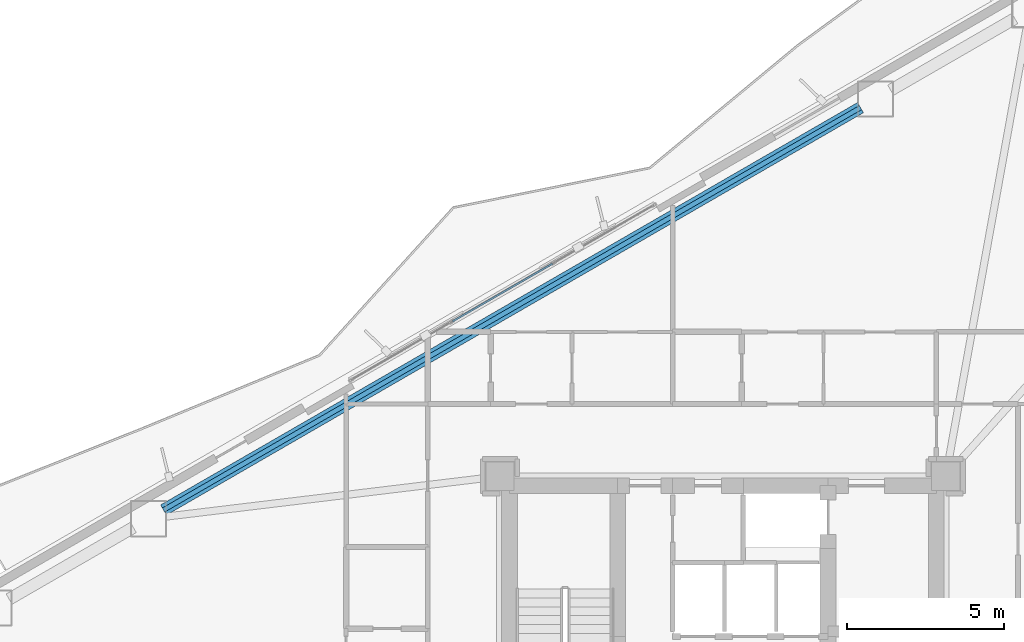
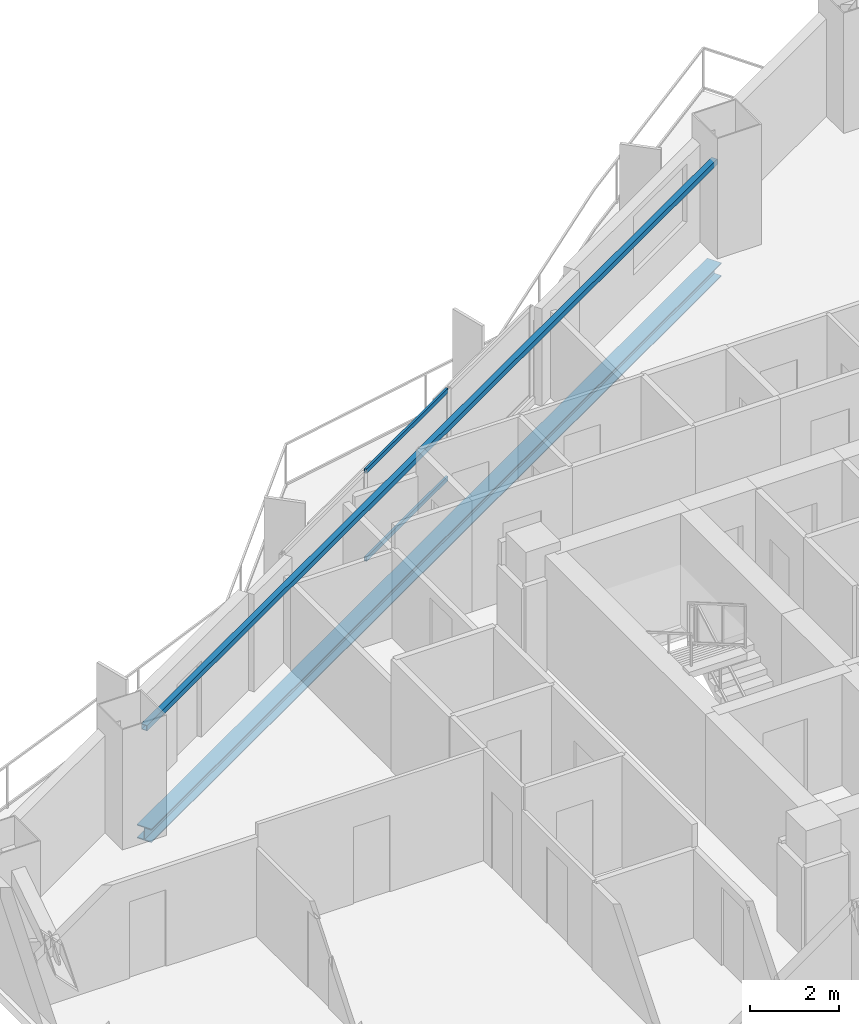
# One storey, part 12 of 23: 2 beams, 2 members, 1 element without a shape of its own.
"""IFC4 building model written with IfcOpenShell, lengths in metres."""

from ifc_helpers import new_model, si_unit, direction, frame, origin, origin_2d, place, context, subcontext, project, spatial, hollow_rectangle, i_section, extrude, material, layer, layer_set, material_profile, profile_set, type_object, element, aggregate, save


model = new_model("IFC4")

# Units and contexts
model_context = context("Model", 3, precision=1e-05, world=origin(), true_north=direction((0.0, 1.0)))
body_context = subcontext(model_context, "Body", "Model", "MODEL_VIEW")
ifc_project = project(units=[si_unit("LENGTHUNIT", "METRE"), si_unit("AREAUNIT", "SQUARE_METRE"), si_unit("VOLUMEUNIT", "CUBIC_METRE"), si_unit("PLANEANGLEUNIT", "RADIAN"), si_unit("MASSUNIT", "GRAM", prefix="KILO")], contexts=[model_context])

# Site, building, storey
site_placement = place(None, origin())
site = spatial("IfcSite", under=ifc_project, at=site_placement, CompositionType="ELEMENT")
building_placement = place(site_placement, origin())
building = spatial("IfcBuilding", under=site, at=building_placement, Name="Mersakhor Tower and Convention Hall", CompositionType="ELEMENT")
storey_placement = place(building_placement, frame((0.0, 0.0, 93.300048828125)))
storey = spatial("IfcBuildingStorey", under=building, at=storey_placement, Name="L25", CompositionType="ELEMENT", Elevation=93.300048828125)

# Beams
ifc_material_1 = material(Name="Steel S355", Category="steel")
ifc_material_profile_1 = material_profile(ifc_material_1, hollow_rectangle(XDim=0.14990234375, YDim=0.14990234375, WallThickness=0.010009765625, at=origin_2d()), Name="SHS 150x150x10")
ifc_profile_set_1 = profile_set([ifc_material_profile_1], Name="Steel S355")
beam_type_1 = type_object("IfcBeamType", Name="BM-GRT-SHS150", PredefinedType="USERDEFINED", material=ifc_profile_set_1)
beam_1_placement = place(storey_placement, frame((11.18310546875, 31.976318359375, 2.47998046875), z_axis=(0.866022538643, 0.500004962538, 0.0), x_axis=(-0.500004962538, 0.866022538643, 0.0)))
element("IfcBeam", 1, at=beam_1_placement, inside=storey, type_object=beam_type_1, Name="L25 Facade Support Girt GRT-F1", ObjectType="GIRT", PredefinedType="USERDEFINED", context=body_context, shape_type="SweptSolid", body=[
    extrude(hollow_rectangle(XDim=0.14990234375, YDim=0.14990234375, WallThickness=0.010009765625, at=origin_2d()), origin(), (0.0, 0.0, 1.0), 25.633544921875),
])
ifc_material_2 = material(Name="Steel S355", Category="steel")
ifc_material_profile_2 = material_profile(ifc_material_2, i_section(OverallWidth=0.374755859375, OverallDepth=0.37451171875, WebThickness=0.0166015625, FlangeThickness=0.027099609375, at=origin_2d()), Name="UC 356x368x202")
ifc_profile_set_2 = profile_set([ifc_material_profile_2], Name="Steel S355")
beam_type_2 = type_object("IfcBeamType", Name="BM-SPD-UC356", PredefinedType="SPANDREL", material=ifc_profile_set_2)
beam_2_placement = place(storey_placement, frame((11.18310546875, 31.976318359375, -0.437255859375), z_axis=(0.866022538643, 0.500004962538, 0.0), x_axis=(-0.500004962538, 0.866022538643, 0.0)))
element("IfcBeam", 2, at=beam_2_placement, inside=storey, type_object=beam_type_2, Name="L25 Perimeter Spandrel Beam SPB-02", PredefinedType="SPANDREL", context=body_context, shape_type="SweptSolid", body=[
    extrude(i_section(OverallWidth=0.374755859375, OverallDepth=0.37451171875, WebThickness=0.0166015625, FlangeThickness=0.027099609375, at=origin_2d()), origin(), (0.0, 0.0, 1.0), 25.633544921875),
])

# Curtain wall, members
ifc_material_3 = material(Name="Dark solar low-E aluminium curtain wall", Category="aluminium")
ifc_layer = layer(ifc_material_3, 0.159912109375)
ifc_layer_set = layer_set([ifc_layer], Name="Dark solar low-E aluminium curtain wall")
curtain_wall_type = type_object("IfcCurtainWallType", Name="CW-SYS-01", PredefinedType="USERDEFINED", material=ifc_layer_set)
curtain_wall_placement = place(storey_placement, origin())
curtain_wall = element("IfcCurtainWall", 3, at=curtain_wall_placement, inside=storey, type_object=curtain_wall_type, Name="L25 Dark-Glass Curtain Wall F1-B2", ObjectType="CURTAIN WALL", PredefinedType="USERDEFINED")
ifc_material_4 = material(Name="Anodised aluminium EN AW-6063 T6", Category="aluminium")
ifc_material_profile_3 = material_profile(ifc_material_4, hollow_rectangle(XDim=0.06005859375, YDim=0.1201171875, WallThickness=0.0048828125, at=origin_2d()), Name="RHS 120x60x5")
ifc_profile_set_3 = profile_set([ifc_material_profile_3], Name="Anodised aluminium EN AW-6063 T6")
member_type = type_object("IfcMemberType", Name="CWT-120x60", PredefinedType="USERDEFINED", material=ifc_profile_set_3)
member_1_placement = place(storey_placement, frame((20.394287109375, 37.9873046875, 0.22998046875), z_axis=(0.866039286129, 0.499975954304, 0.0), x_axis=(-0.499975954304, 0.866039286129, 0.0)))
member_1 = element("IfcMember", 4, at=member_1_placement, type_object=member_type, Name="CW-01 transom 2.1", ObjectType="TRANSOM", PredefinedType="USERDEFINED", context=body_context, shape_type="SweptSolid", body=[
    extrude(hollow_rectangle(XDim=0.06005859375, YDim=0.1201171875, WallThickness=0.0048828125, at=origin_2d()), origin(), (0.0, 0.0, 1.0), 3.668212890625),
])
member_2_placement = place(storey_placement, frame((20.394287109375, 37.9873046875, 2.639892578125), z_axis=(0.866039286129, 0.499975954304, 0.0), x_axis=(-0.499975954304, 0.866039286129, 0.0)))
member_2 = element("IfcMember", 5, at=member_2_placement, type_object=member_type, Name="CW-01 transom 2.2", ObjectType="TRANSOM", PredefinedType="USERDEFINED", context=body_context, shape_type="SweptSolid", body=[
    extrude(hollow_rectangle(XDim=0.06005859375, YDim=0.1201171875, WallThickness=0.0048828125, at=origin_2d()), origin(), (0.0, 0.0, 1.0), 3.668212890625),
])
aggregate(curtain_wall, [member_1, member_2])

save(model, "model.ifc")
